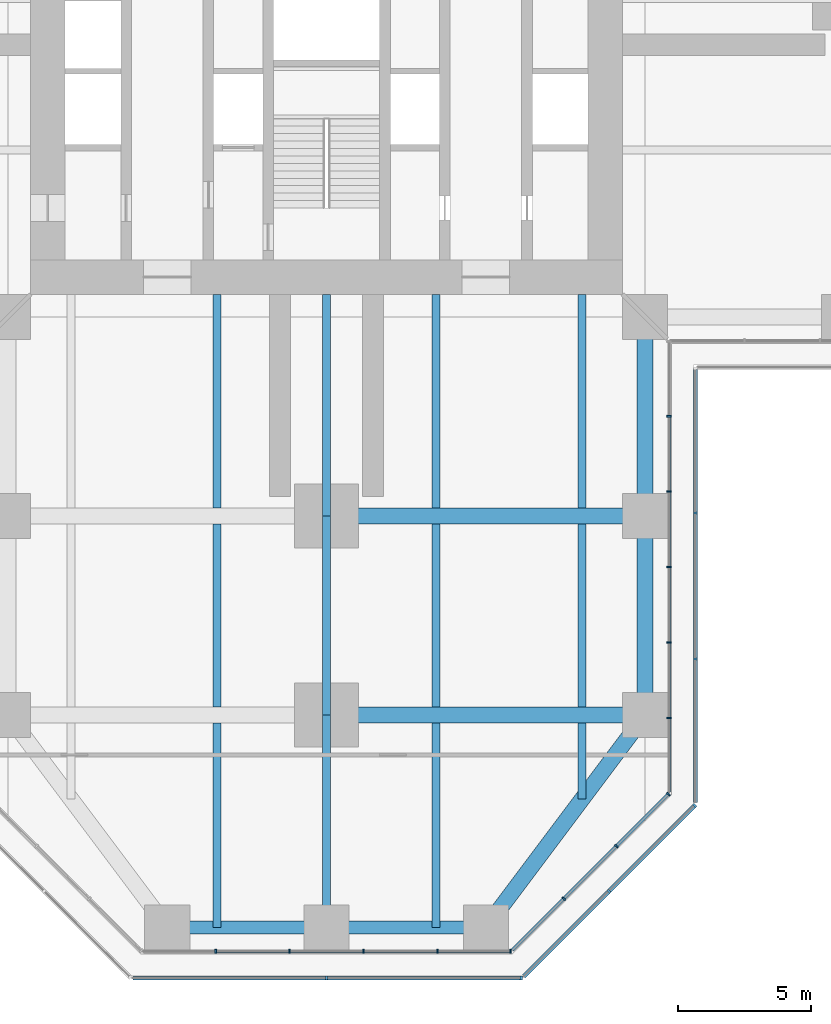
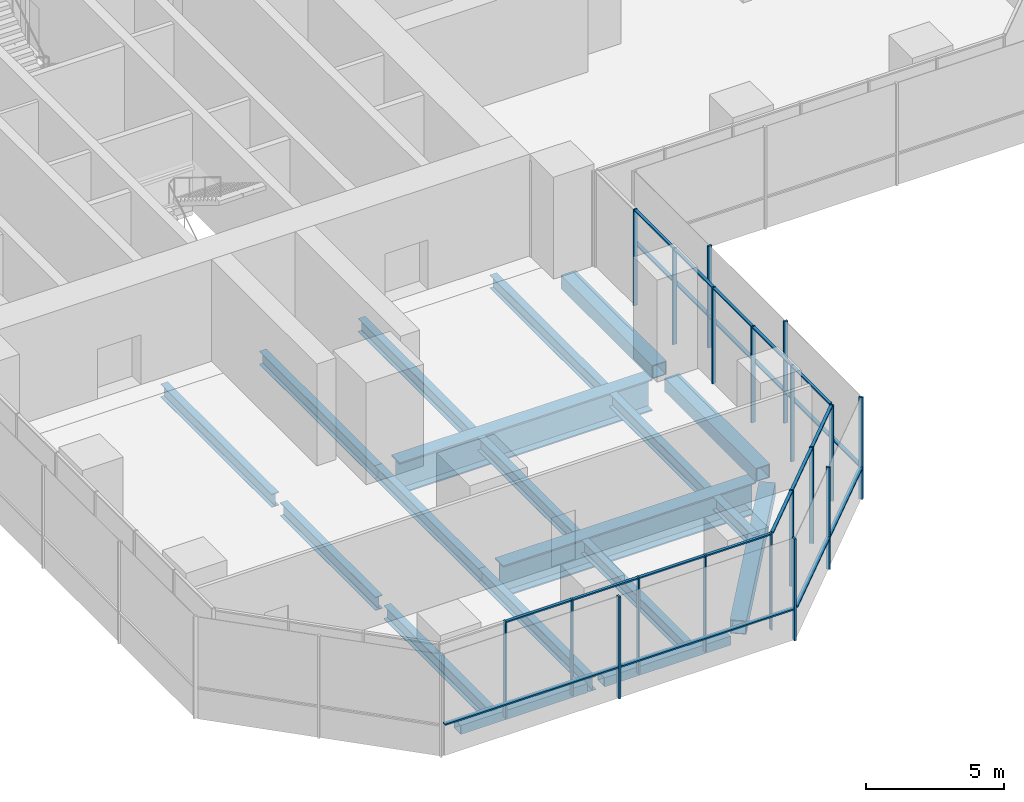
# One storey, part 5 of 21: 38 members, 19 beams, 6 elements without a shape of their own.
"""IFC4 building model written with IfcOpenShell, lengths in metres."""

from ifc_helpers import new_model, si_unit, direction, frame, origin, origin_2d, place, context, subcontext, project, spatial, rectangle, hollow_rectangle, i_section, extrude, material, material_profile, profile_set, type_object, element, aggregate, save


model = new_model("IFC4")

# Units and contexts
model_context = context("Model", 3, precision=1e-05, world=origin(), true_north=direction((0.0, 1.0)))
body_context = subcontext(model_context, "Body", "Model", "MODEL_VIEW")
ifc_project = project(units=[si_unit("LENGTHUNIT", "METRE"), si_unit("AREAUNIT", "SQUARE_METRE"), si_unit("VOLUMEUNIT", "CUBIC_METRE"), si_unit("PLANEANGLEUNIT", "RADIAN"), si_unit("MASSUNIT", "GRAM", prefix="KILO")], contexts=[model_context])

# Site, building, storey
site_placement = place(None, origin())
site = spatial("IfcSite", under=ifc_project, at=site_placement, CompositionType="ELEMENT")
building_placement = place(site_placement, origin())
building = spatial("IfcBuilding", under=site, at=building_placement, Name="Mizan Broadcast Tower", CompositionType="ELEMENT")
storey_placement = place(building_placement, frame((0.0, 0.0, 33.0)))
storey = spatial("IfcBuildingStorey", under=building, at=storey_placement, Name="L05", CompositionType="ELEMENT", Elevation=33.0)

# Beams
ifc_material_1 = material(Name="Steel S355", Category="steel")
ifc_material_profile_1 = material_profile(ifc_material_1, hollow_rectangle(XDim=0.5, YDim=0.39990234375, WallThickness=0.02490234375, at=origin_2d()), Name="BOX 400x500x25")
ifc_profile_set_1 = profile_set([ifc_material_profile_1], Name="Steel S355")
beam_type_1 = type_object("IfcBeamType", Name="EDGE BEAM BOX 400x500x25", PredefinedType="SPANDREL", material=ifc_profile_set_1)
for number, where, z_axis, x_axis, name in (
    (1, (-5.639892578125, -35.0, -0.449951171875), (1.0, 0.0, 0.0), (0.0, 1.0, 0.0), "Edge beam BOX 400x500x25 L05 south arm"),
    (2, (5.639892578125, -35.0, -0.449951171875), (-1.0, 0.0, 0.0), (0.0, -1.0, 0.0), "Edge beam BOX 400x500x25 L05 south arm"),
):
    element("IfcBeam", number, at=place(storey_placement, frame(where, z_axis=z_axis, x_axis=x_axis)), inside=storey, type_object=beam_type_1, Name=name, PredefinedType="SPANDREL", context=body_context, shape_type="SweptSolid", body=[
        extrude(hollow_rectangle(XDim=0.5, YDim=0.39990234375, WallThickness=0.02490234375, at=origin_2d()), origin(), (0.0, 0.0, 1.0), 5.27978515625),
    ])
ifc_material_2 = material(Name="Steel S355", Category="steel")
ifc_material_profile_2 = material_profile(ifc_material_2, hollow_rectangle(XDim=0.60009765625, YDim=0.60009765625, WallThickness=0.030029296875, at=origin_2d()), Name="BOX 600x600x30")
ifc_profile_set_2 = profile_set([ifc_material_profile_2], Name="Steel S355")
beam_type_2 = type_object("IfcBeamType", Name="EDGE BEAM BOX 600x600x30", PredefinedType="SPANDREL", material=ifc_profile_set_2)
beam_1_placement = place(storey_placement, frame((11.639892578125, -27.47998046875, -0.550048828125), z_axis=(-0.599982243973, -0.800013316712, 0.0), x_axis=(0.800013316712, -0.599982243973, 0.0)))
element("IfcBeam", 3, at=beam_1_placement, inside=storey, type_object=beam_type_2, Name="Edge beam BOX 600x600x30 L05 south arm", PredefinedType="SPANDREL", context=body_context, shape_type="SweptSolid", body=[
    extrude(hollow_rectangle(XDim=0.60009765625, YDim=0.60009765625, WallThickness=0.030029296875, at=origin_2d()), origin(), (0.0, 0.0, 1.0), 8.7998046875),
])
ifc_material_3 = material(Name="Steel S355", Category="steel")
ifc_material_profile_3 = material_profile(ifc_material_3, hollow_rectangle(XDim=0.60009765625, YDim=0.60009765625, WallThickness=0.0400390625, at=origin_2d()), Name="BOX 600x600x40")
ifc_profile_set_3 = profile_set([ifc_material_profile_3], Name="Steel S355")
beam_type_3 = type_object("IfcBeamType", Name="EDGE BEAM BOX 600x600x40", PredefinedType="SPANDREL", material=ifc_profile_set_3)
for number, where, z_axis, x_axis, name in (
    (4, (12.0, -12.449951171875, -0.550048828125), (0.0, -1.0, 0.0), (1.0, 0.0, 0.0), "Edge beam BOX 600x600x40 L05 south arm"),
    (5, (12.0, -19.949951171875, -0.550048828125), (0.0, -1.0, 0.0), (1.0, 0.0, 0.0), "Edge beam BOX 600x600x40 L05 south arm"),
):
    element("IfcBeam", number, at=place(storey_placement, frame(where, z_axis=z_axis, x_axis=x_axis)), inside=storey, type_object=beam_type_3, Name=name, PredefinedType="SPANDREL", context=body_context, shape_type="SweptSolid", body=[
        extrude(hollow_rectangle(XDim=0.60009765625, YDim=0.60009765625, WallThickness=0.0400390625, at=origin_2d()), origin(), (0.0, 0.0, 1.0), 6.60009765625),
    ])
ifc_material_4 = material(Name="Steel S460", Category="steel")
ifc_material_profile_4 = material_profile(ifc_material_4, i_section(OverallWidth=0.60009765625, OverallDepth=1.39990234375, WebThickness=0.02490234375, FlangeThickness=0.06005859375, at=origin_2d()), Name="WPG 1400x600")
ifc_profile_set_4 = profile_set([ifc_material_profile_4], Name="Steel S460")
beam_type_4 = type_object("IfcBeamType", Name="GIRDER WPG 1400x600", PredefinedType="BEAM", material=ifc_profile_set_4)
for number, where, z_axis, x_axis, name in (
    (6, (0.719970703125, -19.5, -0.949951171875), (1.0, 0.0, 0.0), (0.0, 1.0, 0.0), "Girder WPG 1400x600 L05 south arm"),
    (7, (0.719970703125, -27.0, -0.949951171875), (1.0, 0.0, 0.0), (0.0, 1.0, 0.0), "Girder WPG 1400x600 L05 south arm"),
):
    element("IfcBeam", number, at=place(storey_placement, frame(where, z_axis=z_axis, x_axis=x_axis)), inside=storey, type_object=beam_type_4, Name=name, PredefinedType="BEAM", context=body_context, shape_type="SweptSolid", body=[
        extrude(i_section(OverallWidth=0.60009765625, OverallDepth=1.39990234375, WebThickness=0.02490234375, FlangeThickness=0.06005859375, at=origin_2d()), origin(), (0.0, 0.0, 1.0), 10.56005859375),
    ])

# Curtain wall, members
ifc_material_5 = material(Name="Aluminium framed glazing", Category="aluminium")
curtain_wall_type_1 = type_object("IfcCurtainWallType", Name="PODIUM CURTAIN WALL", PredefinedType="USERDEFINED", material=ifc_material_5)
curtain_wall_1_placement = place(storey_placement, origin())
curtain_wall_1 = element("IfcCurtainWall", 8, at=curtain_wall_1_placement, inside=storey, type_object=curtain_wall_type_1, Name="Podium curtain wall L05 S end", ObjectType="PODIUM CURTAIN WALL", PredefinedType="USERDEFINED")
ifc_material_6 = material(Name="Aluminium, pale anodised", Category="aluminium")
ifc_material_profile_5 = material_profile(ifc_material_6, rectangle(XDim=0.159912109375, YDim=0.06005859375, at=origin_2d()), Name="MULLION 160x60")
ifc_profile_set_5 = profile_set([ifc_material_profile_5], Name="Aluminium, pale anodised")
member_type_1 = type_object("IfcMemberType", Name="INNER SKIN MULLION 60x160", PredefinedType="MULLION", material=ifc_profile_set_5)
member_1_placement = place(storey_placement, frame((-4.175048828125, -35.89990234375, 0.0), z_axis=(0.0, 0.0, 1.0), x_axis=(0.0, 1.0, 0.0)))
member_1 = element("IfcMember", 9, at=member_1_placement, type_object=member_type_1, Name="Podium curtain wall L05 S end mullion 2", PredefinedType="MULLION", context=body_context, shape_type="SweptSolid", body=[
    extrude(rectangle(XDim=0.159912109375, YDim=0.06005859375, at=origin_2d()), origin(), (0.0, 0.0, 1.0), 4.25),
])
member_2_placement = place(storey_placement, frame((-1.3916015625, -35.89990234375, 0.0), z_axis=(0.0, 0.0, 1.0), x_axis=(0.0, 1.0, 0.0)))
member_2 = element("IfcMember", 10, at=member_2_placement, type_object=member_type_1, Name="Podium curtain wall L05 S end mullion 3", PredefinedType="MULLION", context=body_context, shape_type="SweptSolid", body=[
    extrude(rectangle(XDim=0.159912109375, YDim=0.06005859375, at=origin_2d()), origin(), (0.0, 0.0, 1.0), 4.25),
])
member_3_placement = place(storey_placement, frame((1.3916015625, -35.89990234375, 0.0), z_axis=(0.0, 0.0, 1.0), x_axis=(0.0, 1.0, 0.0)))
member_3 = element("IfcMember", 11, at=member_3_placement, type_object=member_type_1, Name="Podium curtain wall L05 S end mullion 4", PredefinedType="MULLION", context=body_context, shape_type="SweptSolid", body=[
    extrude(rectangle(XDim=0.159912109375, YDim=0.06005859375, at=origin_2d()), origin(), (0.0, 0.0, 1.0), 4.25),
])
member_4_placement = place(storey_placement, frame((4.175048828125, -35.89990234375, 0.0), z_axis=(0.0, 0.0, 1.0), x_axis=(0.0, 1.0, 0.0)))
member_4 = element("IfcMember", 12, at=member_4_placement, type_object=member_type_1, Name="Podium curtain wall L05 S end mullion 5", PredefinedType="MULLION", context=body_context, shape_type="SweptSolid", body=[
    extrude(rectangle(XDim=0.159912109375, YDim=0.06005859375, at=origin_2d()), origin(), (0.0, 0.0, 1.0), 4.25),
])
member_5_placement = place(storey_placement, frame((6.928466796875, -35.89990234375, 0.0), z_axis=(0.0, 0.0, 1.0), x_axis=(0.0, 1.0, 0.0)))
member_5 = element("IfcMember", 13, at=member_5_placement, type_object=member_type_1, Name="Podium curtain wall L05 S end mullion 6", PredefinedType="MULLION", context=body_context, shape_type="SweptSolid", body=[
    extrude(rectangle(XDim=0.159912109375, YDim=0.06005859375, at=origin_2d()), origin(), (0.0, 0.0, 1.0), 4.25),
])

curtain_wall_2_placement = place(storey_placement, origin())
curtain_wall_2 = element("IfcCurtainWall", 14, at=curtain_wall_2_placement, inside=storey, type_object=curtain_wall_type_1, Name="Podium curtain wall L05 S chamfer", ObjectType="PODIUM CURTAIN WALL", PredefinedType="USERDEFINED")
member_6_placement = place(storey_placement, frame((8.93896484375, -33.91943359375, 0.0), z_axis=(0.0, 0.0, 1.0), x_axis=(-0.707106781187, 0.707106781187, 0.0)))
member_6 = element("IfcMember", 15, at=member_6_placement, type_object=member_type_1, Name="Podium curtain wall L05 S chamfer mullion 2", PredefinedType="MULLION", context=body_context, shape_type="SweptSolid", body=[
    extrude(rectangle(XDim=0.159912109375, YDim=0.06005859375, at=origin_2d()), origin(), (0.0, 0.0, 1.0), 4.25),
])
member_7_placement = place(storey_placement, frame((10.91943359375, -31.93896484375, 0.0), z_axis=(0.0, 0.0, 1.0), x_axis=(-0.707106781187, 0.707106781187, 0.0)))
member_7 = element("IfcMember", 16, at=member_7_placement, type_object=member_type_1, Name="Podium curtain wall L05 S chamfer mullion 3", PredefinedType="MULLION", context=body_context, shape_type="SweptSolid", body=[
    extrude(rectangle(XDim=0.159912109375, YDim=0.06005859375, at=origin_2d()), origin(), (0.0, 0.0, 1.0), 4.25),
])
member_8_placement = place(storey_placement, frame((12.87890625, -29.979736328125, 0.0), z_axis=(0.0, 0.0, 1.0), x_axis=(-0.707106781187, 0.707106781187, 0.0)))
member_8 = element("IfcMember", 17, at=member_8_placement, type_object=member_type_1, Name="Podium curtain wall L05 S chamfer mullion 4", PredefinedType="MULLION", context=body_context, shape_type="SweptSolid", body=[
    extrude(rectangle(XDim=0.159912109375, YDim=0.06005859375, at=origin_2d()), origin(), (0.0, 0.0, 1.0), 4.25),
])

curtain_wall_3_placement = place(storey_placement, origin())
curtain_wall_3 = element("IfcCurtainWall", 18, at=curtain_wall_3_placement, inside=storey, type_object=curtain_wall_type_1, Name="Podium curtain wall L05 S side", ObjectType="PODIUM CURTAIN WALL", PredefinedType="USERDEFINED")
member_9_placement = place(storey_placement, frame((12.89990234375, -27.115478515625, 0.0), z_axis=(0.0, 0.0, 1.0), x_axis=(-1.0, 0.0, 0.0)))
member_9 = element("IfcMember", 19, at=member_9_placement, type_object=member_type_1, Name="Podium curtain wall L05 S side mullion 2", PredefinedType="MULLION", context=body_context, shape_type="SweptSolid", body=[
    extrude(rectangle(XDim=0.159912109375, YDim=0.06005859375, at=origin_2d()), origin(), (0.0, 0.0, 1.0), 4.25),
])
member_10_placement = place(storey_placement, frame((12.89990234375, -24.2724609375, 0.0), z_axis=(0.0, 0.0, 1.0), x_axis=(-1.0, 0.0, 0.0)))
member_10 = element("IfcMember", 20, at=member_10_placement, type_object=member_type_1, Name="Podium curtain wall L05 S side mullion 3", PredefinedType="MULLION", context=body_context, shape_type="SweptSolid", body=[
    extrude(rectangle(XDim=0.159912109375, YDim=0.06005859375, at=origin_2d()), origin(), (0.0, 0.0, 1.0), 4.25),
])
member_11_placement = place(storey_placement, frame((12.89990234375, -21.42919921875, 0.0), z_axis=(0.0, 0.0, 1.0), x_axis=(-1.0, 0.0, 0.0)))
member_11 = element("IfcMember", 21, at=member_11_placement, type_object=member_type_1, Name="Podium curtain wall L05 S side mullion 4", PredefinedType="MULLION", context=body_context, shape_type="SweptSolid", body=[
    extrude(rectangle(XDim=0.159912109375, YDim=0.06005859375, at=origin_2d()), origin(), (0.0, 0.0, 1.0), 4.25),
])
member_12_placement = place(storey_placement, frame((12.89990234375, -18.586181640625, 0.0), z_axis=(0.0, 0.0, 1.0), x_axis=(-1.0, 0.0, 0.0)))
member_12 = element("IfcMember", 22, at=member_12_placement, type_object=member_type_1, Name="Podium curtain wall L05 S side mullion 5", PredefinedType="MULLION", context=body_context, shape_type="SweptSolid", body=[
    extrude(rectangle(XDim=0.159912109375, YDim=0.06005859375, at=origin_2d()), origin(), (0.0, 0.0, 1.0), 4.25),
])
member_13_placement = place(storey_placement, frame((12.89990234375, -15.7431640625, 0.0), z_axis=(0.0, 0.0, 1.0), x_axis=(-1.0, 0.0, 0.0)))
member_13 = element("IfcMember", 23, at=member_13_placement, type_object=member_type_1, Name="Podium curtain wall L05 S side mullion 6", PredefinedType="MULLION", context=body_context, shape_type="SweptSolid", body=[
    extrude(rectangle(XDim=0.159912109375, YDim=0.06005859375, at=origin_2d()), origin(), (0.0, 0.0, 1.0), 4.25),
])

# Member
ifc_material_7 = material(Name="Aluminium, pale anodised", Category="aluminium")
ifc_material_profile_6 = material_profile(ifc_material_7, rectangle(XDim=0.1201171875, YDim=0.06005859375, at=origin_2d()), Name="TRANSOM 120x60")
ifc_profile_set_6 = profile_set([ifc_material_profile_6], Name="Aluminium, pale anodised")
member_type_2 = type_object("IfcMemberType", Name="INNER SKIN TRANSOM 60x120", PredefinedType="USERDEFINED", material=ifc_profile_set_6)
member_14_placement = place(storey_placement, frame((-4.145263671875, -35.89990234375, 4.219970703125), z_axis=(1.0, 0.0, 0.0), x_axis=(0.0, 1.0, 0.0)))
member_14 = element("IfcMember", 24, at=member_14_placement, type_object=member_type_2, Name="Podium curtain wall L05 S end transom 2.1", ObjectType="TRANSOM", PredefinedType="USERDEFINED", context=body_context, shape_type="SweptSolid", body=[
    extrude(rectangle(XDim=0.1201171875, YDim=0.06005859375, at=origin_2d()), origin(), (0.0, 0.0, 1.0), 2.7236328125),
])

member_15_placement = place(storey_placement, frame((-1.36181640625, -35.89990234375, 4.219970703125), z_axis=(1.0, 0.0, 0.0), x_axis=(0.0, 1.0, 0.0)))
member_15 = element("IfcMember", 25, at=member_15_placement, type_object=member_type_2, Name="Podium curtain wall L05 S end transom 3.1", ObjectType="TRANSOM", PredefinedType="USERDEFINED", context=body_context, shape_type="SweptSolid", body=[
    extrude(rectangle(XDim=0.1201171875, YDim=0.06005859375, at=origin_2d()), origin(), (0.0, 0.0, 1.0), 2.7236328125),
])

member_16_placement = place(storey_placement, frame((1.421630859375, -35.89990234375, 4.219970703125), z_axis=(1.0, 0.0, 0.0), x_axis=(0.0, 1.0, 0.0)))
member_16 = element("IfcMember", 26, at=member_16_placement, type_object=member_type_2, Name="Podium curtain wall L05 S end transom 4.1", ObjectType="TRANSOM", PredefinedType="USERDEFINED", context=body_context, shape_type="SweptSolid", body=[
    extrude(rectangle(XDim=0.1201171875, YDim=0.06005859375, at=origin_2d()), origin(), (0.0, 0.0, 1.0), 2.7236328125),
])

member_17_placement = place(storey_placement, frame((4.205078125, -35.89990234375, 4.219970703125), z_axis=(1.0, 0.0, 0.0), x_axis=(0.0, 1.0, 0.0)))
member_17 = element("IfcMember", 27, at=member_17_placement, type_object=member_type_2, Name="Podium curtain wall L05 S end transom 5.1", ObjectType="TRANSOM", PredefinedType="USERDEFINED", context=body_context, shape_type="SweptSolid", body=[
    extrude(rectangle(XDim=0.1201171875, YDim=0.06005859375, at=origin_2d()), origin(), (0.0, 0.0, 1.0), 2.693603515625),
])

aggregate(curtain_wall_1, [member_1, member_2, member_3, member_4, member_5, member_14, member_15, member_16, member_17])

member_18_placement = place(storey_placement, frame((7.0009765625, -35.857666015625, 4.219970703125), z_axis=(0.707061749709, 0.707151809797, 0.0), x_axis=(-0.707151809797, 0.707061749709, 0.0)))
member_18 = element("IfcMember", 28, at=member_18_placement, type_object=member_type_2, Name="Podium curtain wall L05 S chamfer transom 1.1", ObjectType="TRANSOM", PredefinedType="USERDEFINED", context=body_context, shape_type="SweptSolid", body=[
    extrude(rectangle(XDim=0.1201171875, YDim=0.06005859375, at=origin_2d()), origin(), (0.0, 0.0, 1.0), 2.7109375),
])

member_19_placement = place(storey_placement, frame((8.960205078125, -33.898193359375, 4.219970703125), z_axis=(0.707106781187, 0.707106781187, 0.0), x_axis=(-0.707106781187, 0.707106781187, 0.0)))
member_19 = element("IfcMember", 29, at=member_19_placement, type_object=member_type_2, Name="Podium curtain wall L05 S chamfer transom 2.1", ObjectType="TRANSOM", PredefinedType="USERDEFINED", context=body_context, shape_type="SweptSolid", body=[
    extrude(rectangle(XDim=0.1201171875, YDim=0.06005859375, at=origin_2d()), origin(), (0.0, 0.0, 1.0), 2.74072265625),
])

member_20_placement = place(storey_placement, frame((10.940673828125, -31.917724609375, 4.219970703125), z_axis=(0.707151809797, 0.707061749709, 0.0), x_axis=(-0.707061749709, 0.707151809797, 0.0)))
member_20 = element("IfcMember", 30, at=member_20_placement, type_object=member_type_2, Name="Podium curtain wall L05 S chamfer transom 3.1", ObjectType="TRANSOM", PredefinedType="USERDEFINED", context=body_context, shape_type="SweptSolid", body=[
    extrude(rectangle(XDim=0.1201171875, YDim=0.06005859375, at=origin_2d()), origin(), (0.0, 0.0, 1.0), 2.7109375),
])

aggregate(curtain_wall_2, [member_6, member_7, member_8, member_18, member_19, member_20])

member_21_placement = place(storey_placement, frame((12.89990234375, -29.898681640625, 4.219970703125), z_axis=(0.0, 1.0, 0.0), x_axis=(-1.0, 0.0, 0.0)))
member_21 = element("IfcMember", 31, at=member_21_placement, type_object=member_type_2, Name="Podium curtain wall L05 S side transom 1.1", ObjectType="TRANSOM", PredefinedType="USERDEFINED", context=body_context, shape_type="SweptSolid", body=[
    extrude(rectangle(XDim=0.1201171875, YDim=0.06005859375, at=origin_2d()), origin(), (0.0, 0.0, 1.0), 2.753173828125),
])

member_22_placement = place(storey_placement, frame((12.89990234375, -27.08544921875, 4.219970703125), z_axis=(0.0, 1.0, 0.0), x_axis=(-1.0, 0.0, 0.0)))
member_22 = element("IfcMember", 32, at=member_22_placement, type_object=member_type_2, Name="Podium curtain wall L05 S side transom 2.1", ObjectType="TRANSOM", PredefinedType="USERDEFINED", context=body_context, shape_type="SweptSolid", body=[
    extrude(rectangle(XDim=0.1201171875, YDim=0.06005859375, at=origin_2d()), origin(), (0.0, 0.0, 1.0), 2.782958984375),
])

member_23_placement = place(storey_placement, frame((12.89990234375, -24.242431640625, 4.219970703125), z_axis=(0.0, 1.0, 0.0), x_axis=(-1.0, 0.0, 0.0)))
member_23 = element("IfcMember", 33, at=member_23_placement, type_object=member_type_2, Name="Podium curtain wall L05 S side transom 3.1", ObjectType="TRANSOM", PredefinedType="USERDEFINED", context=body_context, shape_type="SweptSolid", body=[
    extrude(rectangle(XDim=0.1201171875, YDim=0.06005859375, at=origin_2d()), origin(), (0.0, 0.0, 1.0), 2.783203125),
])

member_24_placement = place(storey_placement, frame((12.89990234375, -21.399169921875, 4.219970703125), z_axis=(0.0, 1.0, 0.0), x_axis=(-1.0, 0.0, 0.0)))
member_24 = element("IfcMember", 34, at=member_24_placement, type_object=member_type_2, Name="Podium curtain wall L05 S side transom 4.1", ObjectType="TRANSOM", PredefinedType="USERDEFINED", context=body_context, shape_type="SweptSolid", body=[
    extrude(rectangle(XDim=0.1201171875, YDim=0.06005859375, at=origin_2d()), origin(), (0.0, 0.0, 1.0), 2.782958984375),
])

member_25_placement = place(storey_placement, frame((12.89990234375, -18.55615234375, 4.219970703125), z_axis=(0.0, 1.0, 0.0), x_axis=(-1.0, 0.0, 0.0)))
member_25 = element("IfcMember", 35, at=member_25_placement, type_object=member_type_2, Name="Podium curtain wall L05 S side transom 5.1", ObjectType="TRANSOM", PredefinedType="USERDEFINED", context=body_context, shape_type="SweptSolid", body=[
    extrude(rectangle(XDim=0.1201171875, YDim=0.06005859375, at=origin_2d()), origin(), (0.0, 0.0, 1.0), 2.782958984375),
])

aggregate(curtain_wall_3, [member_9, member_10, member_11, member_12, member_13, member_21, member_22, member_23, member_24, member_25])

# Curtain wall, members
ifc_material_8 = material(Name="Aluminium framed glazing", Category="aluminium")
curtain_wall_type_2 = type_object("IfcCurtainWallType", Name="OUTER SKIN", PredefinedType="USERDEFINED", material=ifc_material_8)
curtain_wall_4_placement = place(storey_placement, origin())
curtain_wall_4 = element("IfcCurtainWall", 36, at=curtain_wall_4_placement, inside=storey, type_object=curtain_wall_type_2, Name="Outer skin L05 S end", ObjectType="OUTER SKIN", PredefinedType="USERDEFINED")
ifc_material_9 = material(Name="Aluminium, pale anodised", Category="aluminium")
ifc_material_profile_7 = material_profile(ifc_material_9, rectangle(XDim=0.159912109375, YDim=0.080078125, at=origin_2d()), Name="MULLION 160x80")
ifc_profile_set_7 = profile_set([ifc_material_profile_7], Name="Aluminium, pale anodised")
member_type_3 = type_object("IfcMemberType", Name="OUTER SKIN MULLION 80x160", PredefinedType="MULLION", material=ifc_profile_set_7)
member_26_placement = place(storey_placement, frame((0.0, -36.89990234375, 0.0), z_axis=(0.0, 0.0, 1.0), x_axis=(0.0, 1.0, 0.0)))
member_26 = element("IfcMember", 37, at=member_26_placement, type_object=member_type_3, Name="Outer skin L05 S end mullion 2", PredefinedType="MULLION", context=body_context, shape_type="SweptSolid", body=[
    extrude(rectangle(XDim=0.159912109375, YDim=0.080078125, at=origin_2d()), origin(), (0.0, 0.0, 1.0), 4.5),
])
member_27_placement = place(storey_placement, frame((7.332763671875, -36.89990234375, 0.0), z_axis=(0.0, 0.0, 1.0), x_axis=(0.0, 1.0, 0.0)))
member_27 = element("IfcMember", 38, at=member_27_placement, type_object=member_type_3, Name="Outer skin L05 S end mullion 3", PredefinedType="MULLION", context=body_context, shape_type="SweptSolid", body=[
    extrude(rectangle(XDim=0.159912109375, YDim=0.080078125, at=origin_2d()), origin(), (0.0, 0.0, 1.0), 4.5),
])

curtain_wall_5_placement = place(storey_placement, origin())
curtain_wall_5 = element("IfcCurtainWall", 39, at=curtain_wall_5_placement, inside=storey, type_object=curtain_wall_type_2, Name="Outer skin L05 S chamfer", ObjectType="OUTER SKIN", PredefinedType="USERDEFINED")
member_28_placement = place(storey_placement, frame((10.636474609375, -33.636474609375, 0.0), z_axis=(0.0, 0.0, 1.0), x_axis=(-0.707106781187, 0.707106781187, 0.0)))
member_28 = element("IfcMember", 40, at=member_28_placement, type_object=member_type_3, Name="Outer skin L05 S chamfer mullion 2", PredefinedType="MULLION", context=body_context, shape_type="SweptSolid", body=[
    extrude(rectangle(XDim=0.159912109375, YDim=0.080078125, at=origin_2d()), origin(), (0.0, 0.0, 1.0), 4.5),
])
member_29_placement = place(storey_placement, frame((13.871826171875, -30.401123046875, 0.0), z_axis=(0.0, 0.0, 1.0), x_axis=(-0.707106781187, 0.707106781187, 0.0)))
member_29 = element("IfcMember", 41, at=member_29_placement, type_object=member_type_3, Name="Outer skin L05 S chamfer mullion 3", PredefinedType="MULLION", context=body_context, shape_type="SweptSolid", body=[
    extrude(rectangle(XDim=0.159912109375, YDim=0.080078125, at=origin_2d()), origin(), (0.0, 0.0, 1.0), 4.5),
])

curtain_wall_6_placement = place(storey_placement, origin())
curtain_wall_6 = element("IfcCurtainWall", 42, at=curtain_wall_6_placement, inside=storey, type_object=curtain_wall_type_2, Name="Outer skin L05 S side", ObjectType="OUTER SKIN", PredefinedType="USERDEFINED")
member_30_placement = place(storey_placement, frame((13.89990234375, -24.8818359375, 0.0), z_axis=(0.0, 0.0, 1.0), x_axis=(-1.0, 0.0, 0.0)))
member_30 = element("IfcMember", 43, at=member_30_placement, type_object=member_type_3, Name="Outer skin L05 S side mullion 2", PredefinedType="MULLION", context=body_context, shape_type="SweptSolid", body=[
    extrude(rectangle(XDim=0.159912109375, YDim=0.080078125, at=origin_2d()), origin(), (0.0, 0.0, 1.0), 4.5),
])
member_31_placement = place(storey_placement, frame((13.89990234375, -19.390869140625, 0.0), z_axis=(0.0, 0.0, 1.0), x_axis=(-1.0, 0.0, 0.0)))
member_31 = element("IfcMember", 44, at=member_31_placement, type_object=member_type_3, Name="Outer skin L05 S side mullion 3", PredefinedType="MULLION", context=body_context, shape_type="SweptSolid", body=[
    extrude(rectangle(XDim=0.159912109375, YDim=0.080078125, at=origin_2d()), origin(), (0.0, 0.0, 1.0), 4.5),
])

# Member
ifc_material_10 = material(Name="Aluminium, pale anodised", Category="aluminium")
ifc_material_profile_8 = material_profile(ifc_material_10, rectangle(XDim=0.159912109375, YDim=0.06005859375, at=origin_2d()), Name="TRANSOM 160x60")
ifc_profile_set_8 = profile_set([ifc_material_profile_8], Name="Aluminium, pale anodised")
member_type_4 = type_object("IfcMemberType", Name="OUTER SKIN TRANSOM 60x160", PredefinedType="USERDEFINED", material=ifc_profile_set_8)
member_32_placement = place(storey_placement, frame((-7.292724609375, -36.89990234375, 1.39990234375), z_axis=(1.0, 0.0, 0.0), x_axis=(0.0, 1.0, 0.0)))
member_32 = element("IfcMember", 45, at=member_32_placement, type_object=member_type_4, Name="Outer skin L05 S end transom 1.1", ObjectType="TRANSOM", PredefinedType="USERDEFINED", context=body_context, shape_type="SweptSolid", body=[
    extrude(rectangle(XDim=0.159912109375, YDim=0.06005859375, at=origin_2d()), origin(), (0.0, 0.0, 1.0), 7.252685546875),
])

member_33_placement = place(storey_placement, frame((0.0400390625, -36.89990234375, 1.39990234375), z_axis=(1.0, 0.0, 0.0), x_axis=(0.0, 1.0, 0.0)))
member_33 = element("IfcMember", 46, at=member_33_placement, type_object=member_type_4, Name="Outer skin L05 S end transom 2.1", ObjectType="TRANSOM", PredefinedType="USERDEFINED", context=body_context, shape_type="SweptSolid", body=[
    extrude(rectangle(XDim=0.159912109375, YDim=0.06005859375, at=origin_2d()), origin(), (0.0, 0.0, 1.0), 7.252685546875),
])

aggregate(curtain_wall_4, [member_26, member_27, member_32, member_33])

member_34_placement = place(storey_placement, frame((7.429443359375, -36.843505859375, 1.39990234375), z_axis=(0.707106781187, 0.707106781187, 0.0), x_axis=(-0.707106781187, 0.707106781187, 0.0)))
member_34 = element("IfcMember", 47, at=member_34_placement, type_object=member_type_4, Name="Outer skin L05 S chamfer transom 1.1", ObjectType="TRANSOM", PredefinedType="USERDEFINED", context=body_context, shape_type="SweptSolid", body=[
    extrude(rectangle(XDim=0.159912109375, YDim=0.06005859375, at=origin_2d()), origin(), (0.0, 0.0, 1.0), 4.495361328125),
])

member_35_placement = place(storey_placement, frame((10.664794921875, -33.608154296875, 1.39990234375), z_axis=(0.707106781187, 0.707106781187, 0.0), x_axis=(-0.707106781187, 0.707106781187, 0.0)))
member_35 = element("IfcMember", 48, at=member_35_placement, type_object=member_type_4, Name="Outer skin L05 S chamfer transom 2.1", ObjectType="TRANSOM", PredefinedType="USERDEFINED", context=body_context, shape_type="SweptSolid", body=[
    extrude(rectangle(XDim=0.159912109375, YDim=0.06005859375, at=origin_2d()), origin(), (0.0, 0.0, 1.0), 4.495361328125),
])

aggregate(curtain_wall_5, [member_28, member_29, member_34, member_35])

member_36_placement = place(storey_placement, frame((13.89990234375, -30.292724609375, 1.39990234375), z_axis=(0.0, 1.0, 0.0), x_axis=(-1.0, 0.0, 0.0)))
member_36 = element("IfcMember", 49, at=member_36_placement, type_object=member_type_4, Name="Outer skin L05 S side transom 1.1", ObjectType="TRANSOM", PredefinedType="USERDEFINED", context=body_context, shape_type="SweptSolid", body=[
    extrude(rectangle(XDim=0.159912109375, YDim=0.06005859375, at=origin_2d()), origin(), (0.0, 0.0, 1.0), 5.370849609375),
])

member_37_placement = place(storey_placement, frame((13.89990234375, -24.841796875, 1.39990234375), z_axis=(0.0, 1.0, 0.0), x_axis=(-1.0, 0.0, 0.0)))
member_37 = element("IfcMember", 50, at=member_37_placement, type_object=member_type_4, Name="Outer skin L05 S side transom 2.1", ObjectType="TRANSOM", PredefinedType="USERDEFINED", context=body_context, shape_type="SweptSolid", body=[
    extrude(rectangle(XDim=0.159912109375, YDim=0.06005859375, at=origin_2d()), origin(), (0.0, 0.0, 1.0), 5.410888671875),
])

member_38_placement = place(storey_placement, frame((13.89990234375, -19.350830078125, 1.39990234375), z_axis=(0.0, 1.0, 0.0), x_axis=(-1.0, 0.0, 0.0)))
member_38 = element("IfcMember", 51, at=member_38_placement, type_object=member_type_4, Name="Outer skin L05 S side transom 3.1", ObjectType="TRANSOM", PredefinedType="USERDEFINED", context=body_context, shape_type="SweptSolid", body=[
    extrude(rectangle(XDim=0.159912109375, YDim=0.06005859375, at=origin_2d()), origin(), (0.0, 0.0, 1.0), 5.370849609375),
])

aggregate(curtain_wall_6, [member_30, member_31, member_36, member_37, member_38])

# Beams
ifc_material_11 = material(Name="Steel S355", Category="steel")
ifc_material_profile_9 = material_profile(ifc_material_11, i_section(OverallWidth=0.300048828125, OverallDepth=0.590087890625, WebThickness=0.012939453125, FlangeThickness=0.02490234375, FilletRadius=0.027099609375, at=origin_2d()), Name="HEA 600")
ifc_profile_set_9 = profile_set([ifc_material_profile_9], Name="Steel S355")
beam_type_5 = type_object("IfcBeamType", Name="SECONDARY BEAM HEA 600", PredefinedType="JOIST", material=ifc_profile_set_9)
beam_2_placement = place(storey_placement, frame((-4.125, -11.14990234375, -0.544921875), z_axis=(0.0, -1.0, 0.0), x_axis=(1.0, 0.0, 0.0)))
element("IfcBeam", 52, at=beam_2_placement, inside=storey, type_object=beam_type_5, Name="Secondary beam HEA 600 L05 south arm", PredefinedType="JOIST", context=body_context, shape_type="SweptSolid", body=[
    extrude(i_section(OverallWidth=0.300048828125, OverallDepth=0.590087890625, WebThickness=0.012939453125, FlangeThickness=0.02490234375, FilletRadius=0.027099609375, at=origin_2d()), origin(), (0.0, 0.0, 1.0), 8.050048828125),
])
beam_3_placement = place(storey_placement, frame((-4.125, -19.800048828125, -0.544921875), z_axis=(0.0, -1.0, 0.0), x_axis=(1.0, 0.0, 0.0)))
element("IfcBeam", 53, at=beam_3_placement, inside=storey, type_object=beam_type_5, Name="Secondary beam HEA 600 L05 south arm", PredefinedType="JOIST", context=body_context, shape_type="SweptSolid", body=[
    extrude(i_section(OverallWidth=0.300048828125, OverallDepth=0.590087890625, WebThickness=0.012939453125, FlangeThickness=0.02490234375, FilletRadius=0.027099609375, at=origin_2d()), origin(), (0.0, 0.0, 1.0), 6.89990234375),
])
beam_4_placement = place(storey_placement, frame((-4.125, -27.300048828125, -0.544921875), z_axis=(0.0, -1.0, 0.0), x_axis=(1.0, 0.0, 0.0)))
element("IfcBeam", 54, at=beam_4_placement, inside=storey, type_object=beam_type_5, Name="Secondary beam HEA 600 L05 south arm", PredefinedType="JOIST", context=body_context, shape_type="SweptSolid", body=[
    extrude(i_section(OverallWidth=0.300048828125, OverallDepth=0.590087890625, WebThickness=0.012939453125, FlangeThickness=0.02490234375, FilletRadius=0.027099609375, at=origin_2d()), origin(), (0.0, 0.0, 1.0), 7.699951171875),
])
beam_5_placement = place(storey_placement, frame((0.0, -11.14990234375, -0.544921875), z_axis=(0.0, -1.0, 0.0), x_axis=(1.0, 0.0, 0.0)))
element("IfcBeam", 55, at=beam_5_placement, inside=storey, type_object=beam_type_5, Name="Secondary beam HEA 600 L05 south arm", PredefinedType="JOIST", context=body_context, shape_type="SweptSolid", body=[
    extrude(i_section(OverallWidth=0.300048828125, OverallDepth=0.590087890625, WebThickness=0.012939453125, FlangeThickness=0.02490234375, FilletRadius=0.027099609375, at=origin_2d()), origin(), (0.0, 0.0, 1.0), 8.35009765625),
])
beam_6_placement = place(storey_placement, frame((0.0, -19.5, -0.544921875), z_axis=(0.0, -1.0, 0.0), x_axis=(1.0, 0.0, 0.0)))
element("IfcBeam", 56, at=beam_6_placement, inside=storey, type_object=beam_type_5, Name="Secondary beam HEA 600 L05 south arm", PredefinedType="JOIST", context=body_context, shape_type="SweptSolid", body=[
    extrude(i_section(OverallWidth=0.300048828125, OverallDepth=0.590087890625, WebThickness=0.012939453125, FlangeThickness=0.02490234375, FilletRadius=0.027099609375, at=origin_2d()), origin(), (0.0, 0.0, 1.0), 7.5),
])
beam_7_placement = place(storey_placement, frame((0.0, -27.0, -0.544921875), z_axis=(0.0, -1.0, 0.0), x_axis=(1.0, 0.0, 0.0)))
element("IfcBeam", 57, at=beam_7_placement, inside=storey, type_object=beam_type_5, Name="Secondary beam HEA 600 L05 south arm", PredefinedType="JOIST", context=body_context, shape_type="SweptSolid", body=[
    extrude(i_section(OverallWidth=0.300048828125, OverallDepth=0.590087890625, WebThickness=0.012939453125, FlangeThickness=0.02490234375, FilletRadius=0.027099609375, at=origin_2d()), origin(), (0.0, 0.0, 1.0), 8.0),
])
beam_8_placement = place(storey_placement, frame((4.125, -11.14990234375, -0.544921875), z_axis=(0.0, -1.0, 0.0), x_axis=(1.0, 0.0, 0.0)))
element("IfcBeam", 58, at=beam_8_placement, inside=storey, type_object=beam_type_5, Name="Secondary beam HEA 600 L05 south arm", PredefinedType="JOIST", context=body_context, shape_type="SweptSolid", body=[
    extrude(i_section(OverallWidth=0.300048828125, OverallDepth=0.590087890625, WebThickness=0.012939453125, FlangeThickness=0.02490234375, FilletRadius=0.027099609375, at=origin_2d()), origin(), (0.0, 0.0, 1.0), 8.050048828125),
])
beam_9_placement = place(storey_placement, frame((4.125, -19.800048828125, -0.544921875), z_axis=(0.0, -1.0, 0.0), x_axis=(1.0, 0.0, 0.0)))
element("IfcBeam", 59, at=beam_9_placement, inside=storey, type_object=beam_type_5, Name="Secondary beam HEA 600 L05 south arm", PredefinedType="JOIST", context=body_context, shape_type="SweptSolid", body=[
    extrude(i_section(OverallWidth=0.300048828125, OverallDepth=0.590087890625, WebThickness=0.012939453125, FlangeThickness=0.02490234375, FilletRadius=0.027099609375, at=origin_2d()), origin(), (0.0, 0.0, 1.0), 6.89990234375),
])
beam_10_placement = place(storey_placement, frame((4.125, -27.300048828125, -0.544921875), z_axis=(0.0, -1.0, 0.0), x_axis=(1.0, 0.0, 0.0)))
element("IfcBeam", 60, at=beam_10_placement, inside=storey, type_object=beam_type_5, Name="Secondary beam HEA 600 L05 south arm", PredefinedType="JOIST", context=body_context, shape_type="SweptSolid", body=[
    extrude(i_section(OverallWidth=0.300048828125, OverallDepth=0.590087890625, WebThickness=0.012939453125, FlangeThickness=0.02490234375, FilletRadius=0.027099609375, at=origin_2d()), origin(), (0.0, 0.0, 1.0), 7.699951171875),
])
beam_11_placement = place(storey_placement, frame((9.625, -11.14990234375, -0.544921875), z_axis=(0.0, -1.0, 0.0), x_axis=(1.0, 0.0, 0.0)))
element("IfcBeam", 61, at=beam_11_placement, inside=storey, type_object=beam_type_5, Name="Secondary beam HEA 600 L05 south arm", PredefinedType="JOIST", context=body_context, shape_type="SweptSolid", body=[
    extrude(i_section(OverallWidth=0.300048828125, OverallDepth=0.590087890625, WebThickness=0.012939453125, FlangeThickness=0.02490234375, FilletRadius=0.027099609375, at=origin_2d()), origin(), (0.0, 0.0, 1.0), 8.050048828125),
])
beam_12_placement = place(storey_placement, frame((9.625, -19.800048828125, -0.544921875), z_axis=(0.0, -1.0, 0.0), x_axis=(1.0, 0.0, 0.0)))
element("IfcBeam", 62, at=beam_12_placement, inside=storey, type_object=beam_type_5, Name="Secondary beam HEA 600 L05 south arm", PredefinedType="JOIST", context=body_context, shape_type="SweptSolid", body=[
    extrude(i_section(OverallWidth=0.300048828125, OverallDepth=0.590087890625, WebThickness=0.012939453125, FlangeThickness=0.02490234375, FilletRadius=0.027099609375, at=origin_2d()), origin(), (0.0, 0.0, 1.0), 6.89990234375),
])
beam_13_placement = place(storey_placement, frame((9.625, -27.300048828125, -0.544921875), z_axis=(0.0, -1.0, 0.0), x_axis=(1.0, 0.0, 0.0)))
element("IfcBeam", 63, at=beam_13_placement, inside=storey, type_object=beam_type_5, Name="Secondary beam HEA 600 L05 south arm", PredefinedType="JOIST", context=body_context, shape_type="SweptSolid", body=[
    extrude(i_section(OverallWidth=0.300048828125, OverallDepth=0.590087890625, WebThickness=0.012939453125, FlangeThickness=0.02490234375, FilletRadius=0.027099609375, at=origin_2d()), origin(), (0.0, 0.0, 1.0), 2.86669921875),
])

save(model, "model.ifc")
